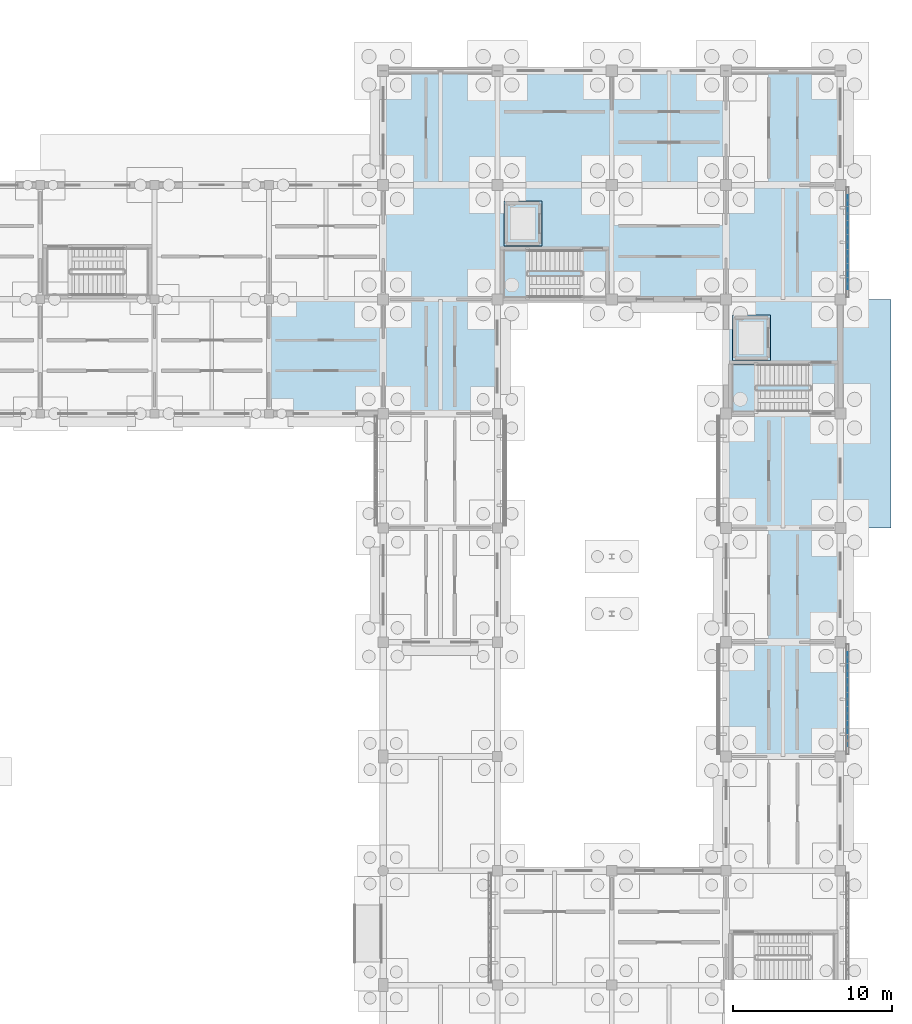
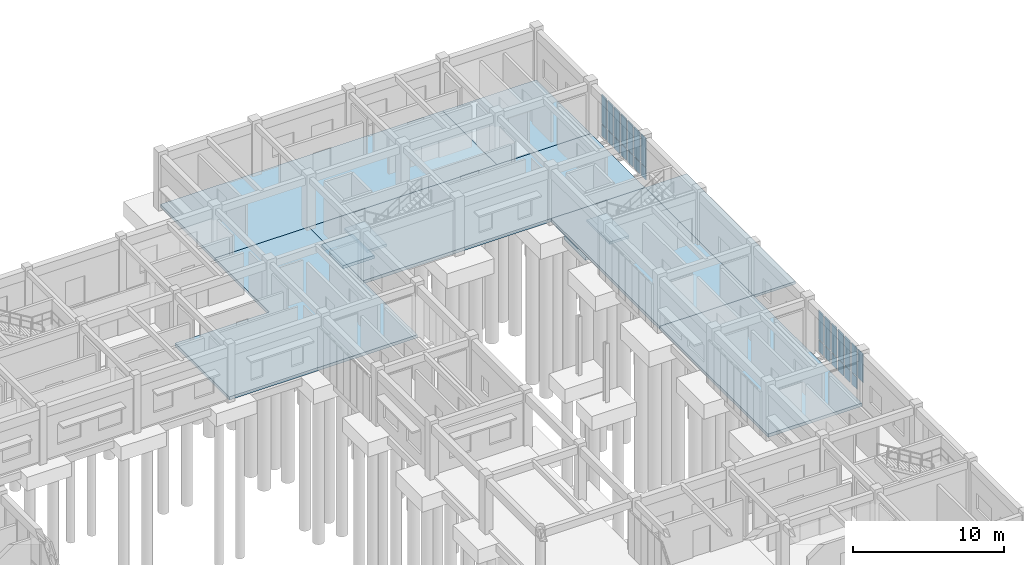
# One storey, part 57 of 111: 27 plates, 11 slabs, 4 elements without a shape of their own.
"""IFC4 building model written with IfcOpenShell, lengths in metres."""

import ifcopenshell
import ifcopenshell.guid

model = None  # the IFC model being written
_history = None  # IfcOwnerHistory: only IFC2X3 demands one
_inside = {}  # id of a spatial element -> (the spatial element, [elements in it])
_under = {}  # id of a project, library or spatial element -> (it, [spatial elements below it])
_declared = {}  # id of a project -> (the project, [libraries it declares])
_typed = {}  # id of a type object -> (the type object, [elements of that type])
_made_of = {}  # id of a material, layer set ... -> (it, [elements and type objects made of it])


def new_model(schema):
    """Start an empty IFC model of exactly this schema.

    Asked for "IFC4X3", IfcOpenShell would pick the latest addendum, in which some entities
    have other attributes; the version numbers below select the first issue.
    IFC2X3 requires an IfcOwnerHistory on every rooted entity: one is made here for all.
    """
    global model, _history
    if schema == "IFC4X3":
        model = ifcopenshell.file(schema_version=(4, 3, 0, 0))
    else:
        model = ifcopenshell.file(schema=schema)
    _inside.clear()
    _under.clear()
    _declared.clear()
    _typed.clear()
    _made_of.clear()
    _history = None
    if model.schema == "IFC2X3":
        org = make("IfcOrganization", Name="unknown")
        user = make(
            "IfcPersonAndOrganization",
            ThePerson=make("IfcPerson", FamilyName="unknown"),
            TheOrganization=org,
        )
        app = make(
            "IfcApplication",
            ApplicationDeveloper=org,
            Version="unknown",
            ApplicationFullName="unknown",
            ApplicationIdentifier="unknown",
        )
        _history = make(
            "IfcOwnerHistory",
            OwningUser=user,
            OwningApplication=app,
            ChangeAction="ADDED",
            CreationDate=0,
        )
    return model


def make(cls, **values):
    """One entity of the class cls with the attributes given. An attribute that is None is left unset."""
    return model.create_entity(
        cls, **{name: value for name, value in values.items() if value is not None}
    )


def rooted(cls, **values):
    """An entity with a GlobalId (a new one), such as an element, a storey or a relation."""
    return make(cls, GlobalId=ifcopenshell.guid.new(), OwnerHistory=_history, **values)


def si_unit(unit_type, name, prefix=None):
    """IfcSIUnit, for example si_unit("LENGTHUNIT", "METRE", prefix="MILLI")."""
    return make("IfcSIUnit", UnitType=unit_type, Prefix=prefix, Name=name)


def assignment(units):
    """IfcUnitAssignment: the units of a project."""
    return None if units is None else make("IfcUnitAssignment", Units=units)


def point(xyz):
    """IfcCartesianPoint."""
    return None if xyz is None else make("IfcCartesianPoint", Coordinates=xyz)


def direction(xyz):
    """IfcDirection."""
    return None if xyz is None else make("IfcDirection", DirectionRatios=xyz)


def frame(location, z_axis=None, x_axis=None):
    """IfcAxis2Placement3D, a coordinate frame: its origin and axes. An axis left out is left unset."""
    return make(
        "IfcAxis2Placement3D",
        Location=point(location),
        Axis=direction(z_axis),
        RefDirection=direction(x_axis),
    )


def frame_2d(location, x_axis=None):
    """IfcAxis2Placement2D, a coordinate frame in the plane: its origin and x axis."""
    return make(
        "IfcAxis2Placement2D", Location=point(location), RefDirection=direction(x_axis)
    )


def origin():
    """The frame at (0, 0, 0) with its axes left unset."""
    return frame((0.0, 0.0, 0.0))


def origin_2d():
    """The frame at (0, 0) in the plane with its x axis left unset."""
    return frame_2d((0.0, 0.0))


def place(relative_to, where):
    """IfcLocalPlacement: puts the frame where relative to a parent placement (None: the world)."""
    return make(
        "IfcLocalPlacement", PlacementRelTo=relative_to, RelativePlacement=where
    )


def context(
    kind, dimensions, precision=None, world=None, true_north=None, identifier=None
):
    """IfcGeometricRepresentationContext, for example the 3D "Model" context."""
    return make(
        "IfcGeometricRepresentationContext",
        ContextIdentifier=identifier,
        ContextType=kind,
        CoordinateSpaceDimension=dimensions,
        Precision=precision,
        WorldCoordinateSystem=world,
        TrueNorth=true_north,
    )


def subcontext(parent, identifier, kind, view, scale=None):
    """IfcGeometricRepresentationSubContext, for example "Body" below "Model"."""
    return make(
        "IfcGeometricRepresentationSubContext",
        ContextIdentifier=identifier,
        ContextType=kind,
        ParentContext=parent,
        TargetScale=scale,
        TargetView=view,
    )


def project(units=None, contexts=None):
    """IfcProject with its units and contexts."""
    return rooted(
        "IfcProject",
        Name="project",
        RepresentationContexts=contexts,
        UnitsInContext=assignment(units),
    )


def spatial(cls, under=None, at=None, **own):
    """A site, building, storey or space (cls), placed at a placement, below another one or the project."""
    s = rooted(cls, ObjectPlacement=at, **own)
    if under is not None:
        _under.setdefault(under.id(), (under, []))[1].append(s)
    return s


def polyline(points):
    """IfcPolyline through the points."""
    return make("IfcPolyline", Points=[point(p) for p in points])


def profile(cls, at=None, kind="AREA", **sizes):
    """A parametric profile (cls). Its sizes go by their IFC names, for example OverallWidth=200.0."""
    return make(cls, ProfileType=kind, Position=at, **sizes)


def rectangle(**sizes):
    """IfcRectangleProfileDef."""
    return profile("IfcRectangleProfileDef", **sizes)


def outline(outer, holes=None, kind="AREA"):
    """IfcArbitraryClosedProfileDef: a profile drawn as a closed curve; with holes, ...WithVoids."""
    if holes is None:
        return make("IfcArbitraryClosedProfileDef", ProfileType=kind, OuterCurve=outer)
    return make(
        "IfcArbitraryProfileDefWithVoids",
        ProfileType=kind,
        OuterCurve=outer,
        InnerCurves=holes,
    )


def extrude(swept, where, along, depth):
    """IfcExtrudedAreaSolid: the profile swept, set in the frame where, extruded along a direction by depth."""
    return make(
        "IfcExtrudedAreaSolid",
        SweptArea=swept,
        Position=where,
        ExtrudedDirection=direction(along),
        Depth=depth,
    )


def shape(context_of_items, identifier, shape_type, items):
    """IfcShapeRepresentation: the items that make up one representation, for example the "Body"."""
    return make(
        "IfcShapeRepresentation",
        ContextOfItems=context_of_items,
        RepresentationIdentifier=identifier,
        RepresentationType=shape_type,
        Items=items,
    )


def material(Name=None, Category=None):
    """IfcMaterial."""
    return make("IfcMaterial", Name=Name, Category=Category)


def layer(
    of_material, thickness, ventilated=None, Name=None, Category=None, Priority=None
):
    """IfcMaterialLayer: one layer of a wall or slab, of a material (None: an air gap)."""
    return make(
        "IfcMaterialLayer",
        Material=of_material,
        LayerThickness=thickness,
        IsVentilated=ventilated,
        Name=Name,
        Category=Category,
        Priority=Priority,
    )


def layer_set(layers, Name=None):
    """IfcMaterialLayerSet."""
    return make("IfcMaterialLayerSet", MaterialLayers=layers, LayerSetName=Name)


def made_of(thing, what):
    """Note that an element or type object is made of a material, layer set ...; save() writes the relation."""
    if what is not None:
        _made_of.setdefault(what.id(), (what, []))[1].append(thing)
    return thing


def type_object(cls, material=None, **own):
    """A type object (cls), such as IfcWallType, which elements share."""
    return made_of(rooted(cls, **own), material)


def element(
    cls,
    number,
    at=None,
    inside=None,
    cuts=None,
    type_object=None,
    material=None,
    context=None,
    identifier="Body",
    shape_type=None,
    held_by="IfcProductDefinitionShape",
    body=None,
    shapes=None,
    **own,
):
    """One element of the class cls, such as IfcWall. Its Tag is "e" and its number.

    at: its placement. inside: the storey or other place that contains it. cuts: it is an
    opening in that element (IfcRelVoidsElement). A single representation is given by context,
    identifier, shape_type and body (its items); several are given by shapes. held_by: the class
    of the entity that holds the representations. save() writes the other relations.
    """
    e = rooted(cls, Tag="e%d" % number, ObjectPlacement=at, **own)
    if body is not None:
        shapes = [shape(context, identifier, shape_type, body)]
    if shapes is not None:
        e.Representation = make(held_by, Representations=shapes)
    if inside is not None:
        _inside.setdefault(inside.id(), (inside, []))[1].append(e)
    if cuts is not None:
        rooted(
            "IfcRelVoidsElement", RelatingBuildingElement=cuts, RelatedOpeningElement=e
        )
    if type_object is not None:
        _typed.setdefault(type_object.id(), (type_object, []))[1].append(e)
    return made_of(e, material)


def aggregate(whole, parts):
    """IfcRelAggregates: a whole, such as a stair, and the parts it consists of."""
    return rooted("IfcRelAggregates", RelatingObject=whole, RelatedObjects=parts)


def save(model, path):
    """Write the relations noted so far, then the file.

    IfcRelAggregates (storeys below a building ...), IfcRelContainedInSpatialStructure (elements
    in a storey), IfcRelDefinesByType, IfcRelAssociatesMaterial and IfcRelDeclares: one each for
    every whole, place, type object, material and project.
    """
    for whole, parts in _under.values():
        aggregate(whole, parts)
    for where, things in _inside.values():
        rooted(
            "IfcRelContainedInSpatialStructure",
            RelatedElements=things,
            RelatingStructure=where,
        )
    for kind, things in _typed.values():
        rooted("IfcRelDefinesByType", RelatedObjects=things, RelatingType=kind)
    for what, things in _made_of.values():
        rooted("IfcRelAssociatesMaterial", RelatedObjects=things, RelatingMaterial=what)
    for by, libraries in _declared.values():
        rooted("IfcRelDeclares", RelatingContext=by, RelatedDefinitions=libraries)
    model.write(path)


model = new_model("IFC4")

# Units and contexts
model_context = context("Model", 3, precision=1e-05, world=origin(), true_north=direction((0.0, 1.0)))
body_context = subcontext(model_context, "Body", "Model", "MODEL_VIEW")
ifc_project = project(units=[si_unit("LENGTHUNIT", "METRE"), si_unit("AREAUNIT", "SQUARE_METRE"), si_unit("VOLUMEUNIT", "CUBIC_METRE"), si_unit("PLANEANGLEUNIT", "RADIAN"), si_unit("MASSUNIT", "GRAM", prefix="KILO")], contexts=[model_context])

# Site, building, storey
site_placement = place(None, origin())
site = spatial("IfcSite", under=ifc_project, at=site_placement, CompositionType="ELEMENT")
building_placement = place(site_placement, origin())
building = spatial("IfcBuilding", under=site, at=building_placement, Name="Aldebral Square Health Centre", CompositionType="ELEMENT")
storey_placement = place(building_placement, origin())
storey = spatial("IfcBuildingStorey", under=building, at=storey_placement, Name="L00", CompositionType="ELEMENT", Elevation=0.0)

# Curtain wall, plates
ifc_material_1 = material(Name="Aluminium and low-E solar glass", Category="aluminium")
curtain_wall_type = type_object("IfcCurtainWallType", Name="CW-FIN-SYS", PredefinedType="USERDEFINED", material=ifc_material_1)
curtain_wall_1_placement = place(storey_placement, origin())
curtain_wall_1 = element("IfcCurtainWall", 1, at=curtain_wall_1_placement, inside=storey, type_object=curtain_wall_type, Name="L00 V5 finned curtain wall L00-V5-22-10-E", ObjectType="SOLAR_CURTAIN_WALL", PredefinedType="USERDEFINED")
ifc_material_2 = material(Name="Solar-control low-E double glass", Category="glass")
ifc_layer_1 = layer(ifc_material_2, 0.030029296875, Name="Solar-control low-E double glass", Category="glass")
ifc_layer_set_1 = layer_set([ifc_layer_1], Name="Solar-control low-E double glass")
plate_type_1 = type_object("IfcPlateType", Name="CWP-GLZ-2", PredefinedType="CURTAIN_PANEL", material=ifc_layer_set_1)
plate_1_placement = place(storey_placement, frame((166.06005859375, 72.9658203125, 1.087646484375), z_axis=(0.0, 0.0, 1.0), x_axis=(0.0, 1.0, 0.0)))
plate_1 = element("IfcPlate", 2, at=plate_1_placement, type_object=plate_type_1, Name="CW1 panel 1.2", PredefinedType="CURTAIN_PANEL", context=body_context, shape_type="SweptSolid", body=[
    extrude(rectangle(XDim=0.6513671875, YDim=0.030029296875, at=origin_2d()), origin(), (0.0, 0.0, 1.0), 2.357421875),
])
plate_2_placement = place(storey_placement, frame((166.06005859375, 73.817138671875, 0.074951171875), z_axis=(0.0, 0.0, 1.0), x_axis=(0.0, 1.0, 0.0)))
plate_2 = element("IfcPlate", 3, at=plate_2_placement, type_object=plate_type_1, Name="CW1 panel 2.1", PredefinedType="CURTAIN_PANEL", context=body_context, shape_type="SweptSolid", body=[
    extrude(rectangle(XDim=0.7314453125, YDim=0.030029296875, at=origin_2d()), origin(), (0.0, 0.0, 1.0), 0.9375),
])
plate_3_placement = place(storey_placement, frame((166.06005859375, 73.817138671875, 1.087646484375), z_axis=(0.0, 0.0, 1.0), x_axis=(0.0, 1.0, 0.0)))
plate_3 = element("IfcPlate", 4, at=plate_3_placement, type_object=plate_type_1, Name="CW1 panel 2.2", PredefinedType="CURTAIN_PANEL", context=body_context, shape_type="SweptSolid", body=[
    extrude(rectangle(XDim=0.7314453125, YDim=0.030029296875, at=origin_2d()), origin(), (0.0, 0.0, 1.0), 2.357421875),
])
plate_4_placement = place(storey_placement, frame((166.06005859375, 74.70849609375, 0.074951171875), z_axis=(0.0, 0.0, 1.0), x_axis=(0.0, 1.0, 0.0)))
plate_4 = element("IfcPlate", 5, at=plate_4_placement, type_object=plate_type_1, Name="CW1 panel 3.1", PredefinedType="CURTAIN_PANEL", context=body_context, shape_type="SweptSolid", body=[
    extrude(rectangle(XDim=0.7314453125, YDim=0.030029296875, at=origin_2d()), origin(), (0.0, 0.0, 1.0), 0.9375),
])
plate_5_placement = place(storey_placement, frame((166.06005859375, 74.70849609375, 1.087646484375), z_axis=(0.0, 0.0, 1.0), x_axis=(0.0, 1.0, 0.0)))
plate_5 = element("IfcPlate", 6, at=plate_5_placement, type_object=plate_type_1, Name="CW1 panel 3.2", PredefinedType="CURTAIN_PANEL", context=body_context, shape_type="SweptSolid", body=[
    extrude(rectangle(XDim=0.7314453125, YDim=0.030029296875, at=origin_2d()), origin(), (0.0, 0.0, 1.0), 2.357421875),
])
plate_6_placement = place(storey_placement, frame((166.06005859375, 75.60009765625, 0.074951171875), z_axis=(0.0, 0.0, 1.0), x_axis=(0.0, 1.0, 0.0)))
plate_6 = element("IfcPlate", 7, at=plate_6_placement, type_object=plate_type_1, Name="CW1 panel 4.1", PredefinedType="CURTAIN_PANEL", context=body_context, shape_type="SweptSolid", body=[
    extrude(rectangle(XDim=0.7314453125, YDim=0.030029296875, at=origin_2d()), origin(), (0.0, 0.0, 1.0), 0.9375),
])
plate_7_placement = place(storey_placement, frame((166.06005859375, 75.60009765625, 1.087646484375), z_axis=(0.0, 0.0, 1.0), x_axis=(0.0, 1.0, 0.0)))
plate_7 = element("IfcPlate", 8, at=plate_7_placement, type_object=plate_type_1, Name="CW1 panel 4.2", PredefinedType="CURTAIN_PANEL", context=body_context, shape_type="SweptSolid", body=[
    extrude(rectangle(XDim=0.7314453125, YDim=0.030029296875, at=origin_2d()), origin(), (0.0, 0.0, 1.0), 2.357421875),
])
plate_8_placement = place(storey_placement, frame((166.06005859375, 76.491455078125, 0.074951171875), z_axis=(0.0, 0.0, 1.0), x_axis=(0.0, 1.0, 0.0)))
plate_8 = element("IfcPlate", 9, at=plate_8_placement, type_object=plate_type_1, Name="CW1 panel 5.1", PredefinedType="CURTAIN_PANEL", context=body_context, shape_type="SweptSolid", body=[
    extrude(rectangle(XDim=0.7314453125, YDim=0.030029296875, at=origin_2d()), origin(), (0.0, 0.0, 1.0), 0.9375),
])
plate_9_placement = place(storey_placement, frame((166.06005859375, 76.491455078125, 1.087646484375), z_axis=(0.0, 0.0, 1.0), x_axis=(0.0, 1.0, 0.0)))
plate_9 = element("IfcPlate", 10, at=plate_9_placement, type_object=plate_type_1, Name="CW1 panel 5.2", PredefinedType="CURTAIN_PANEL", context=body_context, shape_type="SweptSolid", body=[
    extrude(rectangle(XDim=0.7314453125, YDim=0.030029296875, at=origin_2d()), origin(), (0.0, 0.0, 1.0), 2.357421875),
])
plate_10_placement = place(storey_placement, frame((166.06005859375, 77.3828125, 0.074951171875), z_axis=(0.0, 0.0, 1.0), x_axis=(0.0, 1.0, 0.0)))
plate_10 = element("IfcPlate", 11, at=plate_10_placement, type_object=plate_type_1, Name="CW1 panel 6.1", PredefinedType="CURTAIN_PANEL", context=body_context, shape_type="SweptSolid", body=[
    extrude(rectangle(XDim=0.7314453125, YDim=0.030029296875, at=origin_2d()), origin(), (0.0, 0.0, 1.0), 0.9375),
])
plate_11_placement = place(storey_placement, frame((166.06005859375, 77.3828125, 1.087646484375), z_axis=(0.0, 0.0, 1.0), x_axis=(0.0, 1.0, 0.0)))
plate_11 = element("IfcPlate", 12, at=plate_11_placement, type_object=plate_type_1, Name="CW1 panel 6.2", PredefinedType="CURTAIN_PANEL", context=body_context, shape_type="SweptSolid", body=[
    extrude(rectangle(XDim=0.7314453125, YDim=0.030029296875, at=origin_2d()), origin(), (0.0, 0.0, 1.0), 2.357421875),
])
plate_12_placement = place(storey_placement, frame((166.06005859375, 78.234375, 0.074951171875), z_axis=(0.0, 0.0, 1.0), x_axis=(0.0, 1.0, 0.0)))
plate_12 = element("IfcPlate", 13, at=plate_12_placement, type_object=plate_type_1, Name="CW1 panel 7.1", PredefinedType="CURTAIN_PANEL", context=body_context, shape_type="SweptSolid", body=[
    extrude(rectangle(XDim=0.6513671875, YDim=0.030029296875, at=origin_2d()), origin(), (0.0, 0.0, 1.0), 0.9375),
])
plate_13_placement = place(storey_placement, frame((166.06005859375, 78.234375, 1.087646484375), z_axis=(0.0, 0.0, 1.0), x_axis=(0.0, 1.0, 0.0)))
plate_13 = element("IfcPlate", 14, at=plate_13_placement, type_object=plate_type_1, Name="CW1 panel 7.2", PredefinedType="CURTAIN_PANEL", context=body_context, shape_type="SweptSolid", body=[
    extrude(rectangle(XDim=0.6513671875, YDim=0.030029296875, at=origin_2d()), origin(), (0.0, 0.0, 1.0), 2.357421875),
])
aggregate(curtain_wall_1, [plate_1, plate_2, plate_3, plate_4, plate_5, plate_6, plate_7, plate_8, plate_9, plate_10, plate_11, plate_12, plate_13])

curtain_wall_2_placement = place(storey_placement, origin())
curtain_wall_2 = element("IfcCurtainWall", 15, at=curtain_wall_2_placement, inside=storey, type_object=curtain_wall_type, Name="L00 V5 finned curtain wall L00-V5-22-14-E", ObjectType="SOLAR_CURTAIN_WALL", PredefinedType="USERDEFINED")
ifc_layer_2 = layer(ifc_material_2, 0.050048828125, Name="Solar-control low-E double glass", Category="glass")
ifc_layer_set_2 = layer_set([ifc_layer_2], Name="Solar-control low-E double glass")
plate_type_2 = type_object("IfcPlateType", Name="CWP-GLZ-4", PredefinedType="CURTAIN_PANEL", material=ifc_layer_set_2)
plate_14_placement = place(storey_placement, frame((166.06005859375, 101.765625, 0.074951171875), z_axis=(0.0, 0.0, 1.0), x_axis=(0.0, 1.0, 0.0)))
plate_14 = element("IfcPlate", 16, at=plate_14_placement, type_object=plate_type_2, Name="CW1 panel 1.1", PredefinedType="CURTAIN_PANEL", context=body_context, shape_type="SweptSolid", body=[
    extrude(rectangle(XDim=0.6513671875, YDim=0.050048828125, at=origin_2d()), origin(), (0.0, 0.0, 1.0), 0.9375),
])
plate_15_placement = place(storey_placement, frame((166.06005859375, 101.765625, 1.087646484375), z_axis=(0.0, 0.0, 1.0), x_axis=(0.0, 1.0, 0.0)))
plate_15 = element("IfcPlate", 17, at=plate_15_placement, type_object=plate_type_2, Name="CW1 panel 1.2", PredefinedType="CURTAIN_PANEL", context=body_context, shape_type="SweptSolid", body=[
    extrude(rectangle(XDim=0.6513671875, YDim=0.050048828125, at=origin_2d()), origin(), (0.0, 0.0, 1.0), 2.357421875),
])
plate_16_placement = place(storey_placement, frame((166.06005859375, 102.6171875, 0.074951171875), z_axis=(0.0, 0.0, 1.0), x_axis=(0.0, 1.0, 0.0)))
plate_16 = element("IfcPlate", 18, at=plate_16_placement, type_object=plate_type_2, Name="CW1 panel 2.1", PredefinedType="CURTAIN_PANEL", context=body_context, shape_type="SweptSolid", body=[
    extrude(rectangle(XDim=0.7314453125, YDim=0.050048828125, at=origin_2d()), origin(), (0.0, 0.0, 1.0), 0.9375),
])
plate_17_placement = place(storey_placement, frame((166.06005859375, 102.6171875, 1.087646484375), z_axis=(0.0, 0.0, 1.0), x_axis=(0.0, 1.0, 0.0)))
plate_17 = element("IfcPlate", 19, at=plate_17_placement, type_object=plate_type_2, Name="CW1 panel 2.2", PredefinedType="CURTAIN_PANEL", context=body_context, shape_type="SweptSolid", body=[
    extrude(rectangle(XDim=0.7314453125, YDim=0.050048828125, at=origin_2d()), origin(), (0.0, 0.0, 1.0), 2.357421875),
])
plate_18_placement = place(storey_placement, frame((166.06005859375, 103.508544921875, 0.074951171875), z_axis=(0.0, 0.0, 1.0), x_axis=(0.0, 1.0, 0.0)))
plate_18 = element("IfcPlate", 20, at=plate_18_placement, type_object=plate_type_2, Name="CW1 panel 3.1", PredefinedType="CURTAIN_PANEL", context=body_context, shape_type="SweptSolid", body=[
    extrude(rectangle(XDim=0.7314453125, YDim=0.050048828125, at=origin_2d()), origin(), (0.0, 0.0, 1.0), 0.9375),
])
plate_19_placement = place(storey_placement, frame((166.06005859375, 103.508544921875, 1.087646484375), z_axis=(0.0, 0.0, 1.0), x_axis=(0.0, 1.0, 0.0)))
plate_19 = element("IfcPlate", 21, at=plate_19_placement, type_object=plate_type_2, Name="CW1 panel 3.2", PredefinedType="CURTAIN_PANEL", context=body_context, shape_type="SweptSolid", body=[
    extrude(rectangle(XDim=0.7314453125, YDim=0.050048828125, at=origin_2d()), origin(), (0.0, 0.0, 1.0), 2.357421875),
])
plate_20_placement = place(storey_placement, frame((166.06005859375, 104.39990234375, 0.074951171875), z_axis=(0.0, 0.0, 1.0), x_axis=(0.0, 1.0, 0.0)))
plate_20 = element("IfcPlate", 22, at=plate_20_placement, type_object=plate_type_2, Name="CW1 panel 4.1", PredefinedType="CURTAIN_PANEL", context=body_context, shape_type="SweptSolid", body=[
    extrude(rectangle(XDim=0.7314453125, YDim=0.050048828125, at=origin_2d()), origin(), (0.0, 0.0, 1.0), 0.9375),
])
plate_21_placement = place(storey_placement, frame((166.06005859375, 104.39990234375, 1.087646484375), z_axis=(0.0, 0.0, 1.0), x_axis=(0.0, 1.0, 0.0)))
plate_21 = element("IfcPlate", 23, at=plate_21_placement, type_object=plate_type_2, Name="CW1 panel 4.2", PredefinedType="CURTAIN_PANEL", context=body_context, shape_type="SweptSolid", body=[
    extrude(rectangle(XDim=0.7314453125, YDim=0.050048828125, at=origin_2d()), origin(), (0.0, 0.0, 1.0), 2.357421875),
])
plate_22_placement = place(storey_placement, frame((166.06005859375, 105.29150390625, 0.074951171875), z_axis=(0.0, 0.0, 1.0), x_axis=(0.0, 1.0, 0.0)))
plate_22 = element("IfcPlate", 24, at=plate_22_placement, type_object=plate_type_2, Name="CW1 panel 5.1", PredefinedType="CURTAIN_PANEL", context=body_context, shape_type="SweptSolid", body=[
    extrude(rectangle(XDim=0.7314453125, YDim=0.050048828125, at=origin_2d()), origin(), (0.0, 0.0, 1.0), 0.9375),
])
plate_23_placement = place(storey_placement, frame((166.06005859375, 105.29150390625, 1.087646484375), z_axis=(0.0, 0.0, 1.0), x_axis=(0.0, 1.0, 0.0)))
plate_23 = element("IfcPlate", 25, at=plate_23_placement, type_object=plate_type_2, Name="CW1 panel 5.2", PredefinedType="CURTAIN_PANEL", context=body_context, shape_type="SweptSolid", body=[
    extrude(rectangle(XDim=0.7314453125, YDim=0.050048828125, at=origin_2d()), origin(), (0.0, 0.0, 1.0), 2.357421875),
])
plate_24_placement = place(storey_placement, frame((166.06005859375, 106.182861328125, 0.074951171875), z_axis=(0.0, 0.0, 1.0), x_axis=(0.0, 1.0, 0.0)))
plate_24 = element("IfcPlate", 26, at=plate_24_placement, type_object=plate_type_2, Name="CW1 panel 6.1", PredefinedType="CURTAIN_PANEL", context=body_context, shape_type="SweptSolid", body=[
    extrude(rectangle(XDim=0.7314453125, YDim=0.050048828125, at=origin_2d()), origin(), (0.0, 0.0, 1.0), 0.9375),
])
plate_25_placement = place(storey_placement, frame((166.06005859375, 106.182861328125, 1.087646484375), z_axis=(0.0, 0.0, 1.0), x_axis=(0.0, 1.0, 0.0)))
plate_25 = element("IfcPlate", 27, at=plate_25_placement, type_object=plate_type_2, Name="CW1 panel 6.2", PredefinedType="CURTAIN_PANEL", context=body_context, shape_type="SweptSolid", body=[
    extrude(rectangle(XDim=0.7314453125, YDim=0.050048828125, at=origin_2d()), origin(), (0.0, 0.0, 1.0), 2.357421875),
])
plate_26_placement = place(storey_placement, frame((166.06005859375, 107.0341796875, 0.074951171875), z_axis=(0.0, 0.0, 1.0), x_axis=(0.0, 1.0, 0.0)))
plate_26 = element("IfcPlate", 28, at=plate_26_placement, type_object=plate_type_2, Name="CW1 panel 7.1", PredefinedType="CURTAIN_PANEL", context=body_context, shape_type="SweptSolid", body=[
    extrude(rectangle(XDim=0.6513671875, YDim=0.050048828125, at=origin_2d()), origin(), (0.0, 0.0, 1.0), 0.9375),
])
plate_27_placement = place(storey_placement, frame((166.06005859375, 107.0341796875, 1.087646484375), z_axis=(0.0, 0.0, 1.0), x_axis=(0.0, 1.0, 0.0)))
plate_27 = element("IfcPlate", 29, at=plate_27_placement, type_object=plate_type_2, Name="CW1 panel 7.2", PredefinedType="CURTAIN_PANEL", context=body_context, shape_type="SweptSolid", body=[
    extrude(rectangle(XDim=0.6513671875, YDim=0.050048828125, at=origin_2d()), origin(), (0.0, 0.0, 1.0), 2.357421875),
])
aggregate(curtain_wall_2, [plate_14, plate_15, plate_16, plate_17, plate_18, plate_19, plate_20, plate_21, plate_22, plate_23, plate_24, plate_25, plate_26, plate_27])

# Slabs
ifc_material_3 = material(Name="Concrete C35/45", Category="concrete")
ifc_layer_3 = layer(ifc_material_3, 0.25, Name="Concrete C35/45", Category="concrete")
ifc_layer_set_3 = layer_set([ifc_layer_3], Name="Concrete C35/45")
slab_type_1 = type_object("IfcSlabType", Name="SL-BASE-250", PredefinedType="BASESLAB", material=ifc_layer_set_3)
slab_1_placement = place(storey_placement, frame((0.0, 0.0, -0.25)))
element("IfcSlab", 30, at=slab_1_placement, inside=storey, type_object=slab_type_1, Name="L00 V5 base slab 3", PredefinedType="BASESLAB", context=body_context, shape_type="SweptSolid", body=[
    extrude(outline(polyline([(129.60009765625, 93.60009765625), (129.60009765625, 100.800048828125), (136.800048828125, 100.800048828125), (136.800048828125, 108.0), (144.0, 108.0), (144.0, 100.800048828125), (144.0, 93.60009765625), (136.800048828125, 93.60009765625), (129.60009765625, 93.60009765625)])), origin(), (0.0, 0.0, 1.0), 0.25),
])
slab_2_placement = place(storey_placement, frame((0.0, 0.0, -0.25)))
element("IfcSlab", 31, at=slab_2_placement, inside=storey, type_object=slab_type_1, Name="L00 V5 base slab 5", PredefinedType="BASESLAB", context=body_context, shape_type="SweptSolid", body=[
    extrude(outline(polyline([(136.800048828125, 108.0), (136.800048828125, 115.199951171875), (144.0, 115.199951171875), (151.199951171875, 115.199951171875), (158.39990234375, 115.199951171875), (158.39990234375, 108.0), (151.199951171875, 108.0), (144.0, 108.0), (136.800048828125, 108.0)])), origin(), (0.0, 0.0, 1.0), 0.25),
])
slab_3_placement = place(storey_placement, frame((0.0, 0.0, -0.25)))
element("IfcSlab", 32, at=slab_3_placement, inside=storey, type_object=slab_type_1, Name="L00 V5 base slab 7", PredefinedType="BASESLAB", context=body_context, shape_type="SweptSolid", body=[
    extrude(outline(polyline([(144.0, 100.800048828125), (144.0, 108.0), (151.199951171875, 108.0), (158.39990234375, 108.0), (165.60009765625, 108.0), (165.60009765625, 100.800048828125), (158.39990234375, 100.800048828125), (151.199951171875, 100.800048828125), (144.0, 100.800048828125)])), origin(), (0.0, 0.0, 1.0), 0.25),
])
slab_4_placement = place(storey_placement, frame((0.0, 0.0, -0.25)))
element("IfcSlab", 33, at=slab_4_placement, inside=storey, type_object=slab_type_1, Name="L00 V5 base slab 9", PredefinedType="BASESLAB", context=body_context, shape_type="SweptSolid", body=[
    extrude(outline(polyline([(165.60009765625, 72.0), (158.39990234375, 72.0), (158.39990234375, 79.199951171875), (158.39990234375, 86.39990234375), (165.60009765625, 86.39990234375), (165.60009765625, 79.199951171875), (165.60009765625, 72.0)])), origin(), (0.0, 0.0, 1.0), 0.25),
])
slab_5_placement = place(storey_placement, frame((0.0, 0.0, -0.25)))
element("IfcSlab", 34, at=slab_5_placement, inside=storey, type_object=slab_type_1, Name="L00 V5 base slab 10", PredefinedType="BASESLAB", context=body_context, shape_type="SweptSolid", body=[
    extrude(outline(polyline([(165.60009765625, 86.39990234375), (158.39990234375, 86.39990234375), (158.39990234375, 93.60009765625), (158.39990234375, 100.800048828125), (165.60009765625, 100.800048828125), (165.60009765625, 93.60009765625), (165.60009765625, 86.39990234375)])), origin(), (0.0, 0.0, 1.0), 0.25),
])
slab_6_placement = place(storey_placement, frame((0.0, 0.0, -0.25)))
element("IfcSlab", 35, at=slab_6_placement, inside=storey, type_object=slab_type_1, Name="L00 V5 base slab 11", PredefinedType="BASESLAB", context=body_context, shape_type="SweptSolid", body=[
    extrude(outline(polyline([(165.60009765625, 108.0), (165.60009765625, 115.199951171875), (158.39990234375, 115.199951171875), (158.39990234375, 108.0), (165.60009765625, 108.0)])), origin(), (0.0, 0.0, 1.0), 0.25),
])
slab_7_placement = place(storey_placement, frame((0.0, 0.0, -1.199951171875)))
element("IfcSlab", 36, at=slab_7_placement, inside=storey, type_object=slab_type_1, Name="LF-03 pit slab", PredefinedType="BASESLAB", context=body_context, shape_type="SweptSolid", body=[
    extrude(outline(polyline([(158.800048828125, 96.949951171875), (161.199951171875, 96.949951171875), (161.199951171875, 99.800048828125), (158.800048828125, 99.800048828125), (158.800048828125, 96.949951171875)])), origin(), (0.0, 0.0, 1.0), 0.25),
])
slab_8_placement = place(storey_placement, frame((0.0, 0.0, -1.199951171875)))
element("IfcSlab", 37, at=slab_8_placement, inside=storey, type_object=slab_type_1, Name="LF-04 pit slab", PredefinedType="BASESLAB", context=body_context, shape_type="SweptSolid", body=[
    extrude(outline(polyline([(144.39990234375, 104.14990234375), (146.800048828125, 104.14990234375), (146.800048828125, 107.0), (144.39990234375, 107.0), (144.39990234375, 104.14990234375)])), origin(), (0.0, 0.0, 1.0), 0.25),
])
ifc_layer_4 = layer(ifc_material_3, 0.199951171875, Name="Concrete C35/45", Category="concrete")
ifc_layer_set_4 = layer_set([ifc_layer_4], Name="Concrete C35/45")
slab_type_2 = type_object("IfcSlabType", Name="SL-COL-200", PredefinedType="USERDEFINED", material=ifc_layer_set_4)
slab_9_placement = place(storey_placement, frame((0.0, 0.0, -0.199951171875)))
element("IfcSlab", 38, at=slab_9_placement, inside=storey, type_object=slab_type_2, Name="Ground entrance apron APR-E-C3.1", ObjectType="PAVING", PredefinedType="USERDEFINED", context=body_context, shape_type="SweptSolid", body=[
    extrude(outline(polyline([(168.800048828125, 100.800048828125), (168.800048828125, 86.39990234375), (165.60009765625, 86.39990234375), (165.60009765625, 93.60009765625), (165.60009765625, 100.800048828125), (168.800048828125, 100.800048828125)])), origin(), (0.0, 0.0, 1.0), 0.199951171875),
])

# Stair, slab
stair_type = type_object("IfcStairType", Name="ST-DOG-140", PredefinedType="HALF_TURN_STAIR", material=ifc_material_3)
stair_1_placement = place(storey_placement, origin())
stair_1 = element("IfcStair", 39, at=stair_1_placement, inside=storey, type_object=stair_type, Name="L00 ST-03", PredefinedType="HALF_TURN_STAIR")
ifc_layer_5 = layer(ifc_material_3, 0.199951171875, Name="Concrete C35/45", Category="concrete")
ifc_layer_set_5 = layer_set([ifc_layer_5], Name="Concrete C35/45")
slab_type_3 = type_object("IfcSlabType", Name="SL-LND-200", PredefinedType="LANDING", material=ifc_layer_set_5)
slab_10_placement = place(storey_placement, frame((0.0, 0.0, 2.050048828125)))
slab_10 = element("IfcSlab", 40, at=slab_10_placement, type_object=slab_type_3, Name="ST-03 landing 1", PredefinedType="LANDING", context=body_context, shape_type="SweptSolid", body=[
    extrude(outline(polyline([(160.300048828125, 96.719970703125), (158.780029296875, 96.719970703125), (158.780029296875, 93.719970703125), (160.300048828125, 93.719970703125), (160.300048828125, 96.719970703125)])), origin(), (0.0, 0.0, 1.0), 0.199951171875),
])
aggregate(stair_1, [slab_10])

stair_2_placement = place(storey_placement, origin())
stair_2 = element("IfcStair", 41, at=stair_2_placement, inside=storey, type_object=stair_type, Name="L00 ST-04", PredefinedType="HALF_TURN_STAIR")
slab_11_placement = place(storey_placement, frame((0.0, 0.0, 2.050048828125)))
slab_11 = element("IfcSlab", 42, at=slab_11_placement, type_object=slab_type_3, Name="ST-04 landing 1", PredefinedType="LANDING", context=body_context, shape_type="SweptSolid", body=[
    extrude(outline(polyline([(145.89990234375, 103.919921875), (144.3798828125, 103.919921875), (144.3798828125, 100.919921875), (145.89990234375, 100.919921875), (145.89990234375, 103.919921875)])), origin(), (0.0, 0.0, 1.0), 0.199951171875),
])
aggregate(stair_2, [slab_11])

save(model, "model.ifc")
